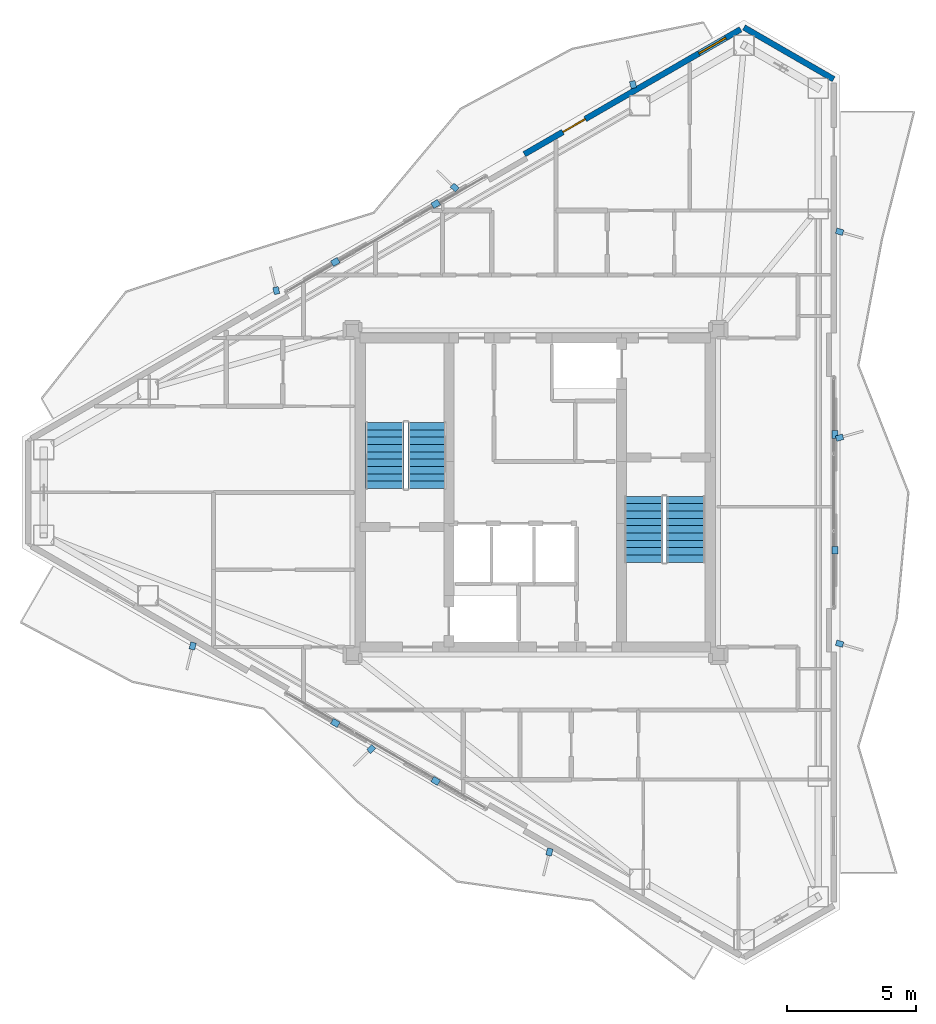
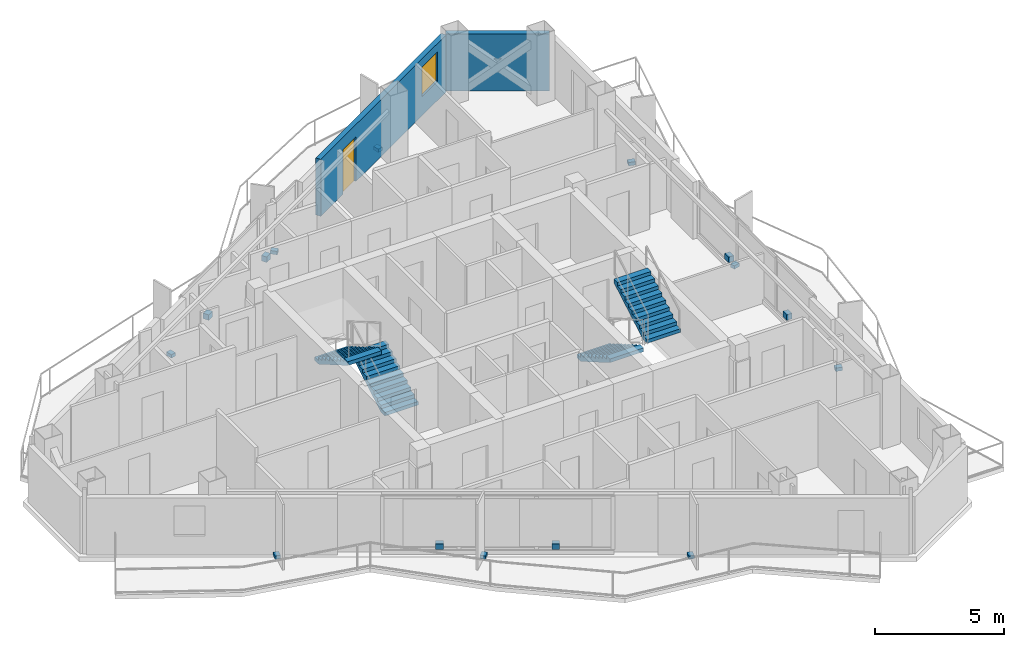
# One storey, part 20 of 22: 15 discrete accessories, 4 stair flights, 2 walls, 1 door, 1 window, 2 openings, 2 elements without a shape of their own.
"""IFC4 building model written with IfcOpenShell, lengths in metres."""

from ifc_helpers import new_model, si_unit, direction, frame, frame_2d, origin, origin_2d, place, context, subcontext, project, spatial, polyline, rectangle, outline, extrude, material, layer, layer_set, type_object, element, fill, aggregate, save


model = new_model("IFC4")

# Units and contexts
model_context = context("Model", 3, precision=1e-05, world=origin(), true_north=direction((0.0, 1.0)))
body_context = subcontext(model_context, "Body", "Model", "MODEL_VIEW")
ifc_project = project(units=[si_unit("LENGTHUNIT", "METRE"), si_unit("AREAUNIT", "SQUARE_METRE"), si_unit("VOLUMEUNIT", "CUBIC_METRE"), si_unit("PLANEANGLEUNIT", "RADIAN"), si_unit("MASSUNIT", "GRAM", prefix="KILO")], contexts=[model_context])

# Site, building, storey
site_placement = place(None, origin())
site = spatial("IfcSite", under=ifc_project, at=site_placement, CompositionType="ELEMENT")
building_placement = place(site_placement, origin())
building = spatial("IfcBuilding", under=site, at=building_placement, Name="Mersakhor Tower and Convention Hall", CompositionType="ELEMENT")
storey_placement = place(building_placement, frame((0.0, 0.0, 198.60009765625)))
storey = spatial("IfcBuildingStorey", under=building, at=storey_placement, Name="L55", CompositionType="ELEMENT", Elevation=198.60009765625)

# Wall
ifc_material_1 = material(Name="Precast concrete C40/50", Category="concrete")
ifc_layer_1 = layer(ifc_material_1, 0.22509765625)
ifc_layer_set_1 = layer_set([ifc_layer_1], Name="Precast concrete C40/50")
wall_type = type_object("IfcWallType", Name="WL-EXT-225", PredefinedType="SOLIDWALL", material=ifc_layer_set_1)
wall_1_placement = place(storey_placement, frame((37.10400390625, 44.81005859375, 0.0), z_axis=(0.0, 0.0, 1.0), x_axis=(0.866023907196, -0.500002592159, 0.0)))
element("IfcWall", 1, at=wall_1_placement, inside=storey, type_object=wall_type, Name="L55 Chamfer Braced Spandrel Wall C1", PredefinedType="SOLIDWALL", context=body_context, shape_type="SweptSolid", body=[
    extrude(rectangle(XDim=4.0234375, YDim=0.22509765625, at=frame_2d((2.01171875, 0.0))), origin(), (0.0, 0.0, 1.0), 2.68994140625),
])

# Wall, openings, door, window
wall_2_placement = place(storey_placement, frame((28.57470703125, 39.885498046875, 0.0), z_axis=(0.0, 0.0, 1.0), x_axis=(0.866016233231, 0.500015883528, 0.0)))
wall_2 = element("IfcWall", 2, at=wall_2_placement, inside=storey, type_object=wall_type, Name="L55 Exterior Facade Wall F1-B3", PredefinedType="SOLIDWALL", context=body_context, shape_type="SweptSolid", body=[
    extrude(rectangle(XDim=9.698974609375, YDim=0.22509765625, at=frame_2d((4.849609375, 0.0))), origin(), (0.0, 0.0, 1.0), 2.68994140625),
])
opening_1_placement = place(wall_2_placement, frame((1.72998046875, 0.0, 0.0)))
opening_1 = element("IfcOpeningElement", 3, at=opening_1_placement, cuts=wall_2, Name="Opening BD-01", PredefinedType="OPENING", context=body_context, shape_type="SweptSolid", body=[
    extrude(rectangle(XDim=1.0, YDim=2.10009765625, at=frame_2d((0.5, 1.050048828125))), frame((0.0, 0.12255859375, 0.0), z_axis=(0.0, -1.0, 0.0), x_axis=(1.0, 0.0, 0.0)), (0.0, 0.0, 1.0), 0.2451171875),
])
opening_2_placement = place(wall_2_placement, frame((7.8359375, 0.0, 0.89990234375)))
opening_2 = element("IfcOpeningElement", 4, at=opening_2_placement, cuts=wall_2, Name="Opening W-01", PredefinedType="OPENING", context=body_context, shape_type="SweptSolid", body=[
    extrude(rectangle(XDim=1.199951171875, YDim=1.39990234375, at=frame_2d((0.60009765625, 0.699951171875))), frame((0.0, 0.12255859375, 0.0), z_axis=(0.0, -1.0, 0.0), x_axis=(1.0, 0.0, 0.0)), (0.0, 0.0, 1.0), 0.2451171875),
])
ifc_material_2 = material(Name="Thermally broken dark aluminium and safety glass", Category="aluminium")
door_type = type_object("IfcDoorType", Name="DR-BAL-100x210", OperationType="NOTDEFINED", PredefinedType="DOOR", material=ifc_material_2)
door_placement = place(opening_1_placement, origin())
door = element("IfcDoor", 5, at=door_placement, inside=storey, type_object=door_type, Name="L55 Balcony Terrace Door F1-B3", OperationType="SINGLE_SWING_LEFT", OverallHeight=2.10009765625, OverallWidth=1.0, PredefinedType="DOOR", context=body_context, shape_type="SweptSolid", body=[
    extrude(rectangle(XDim=1.0, YDim=2.10009765625, at=frame_2d((0.5, 1.050048828125))), frame((0.0, 0.02490234375, 0.0), z_axis=(0.0, -1.0, 0.0), x_axis=(1.0, 0.0, 0.0)), (0.0, 0.0, 1.0), 0.050048828125),
])
fill(opening_1, door)
ifc_material_3 = material(Name="Dark solar low-E glazed aluminium window", Category="aluminium")
window_type = type_object("IfcWindowType", Name="WN-RES-120x150", PartitioningType="SINGLE_PANEL", PredefinedType="WINDOW", material=ifc_material_3)
window_placement = place(opening_2_placement, origin())
window = element("IfcWindow", 6, at=window_placement, inside=storey, type_object=window_type, Name="L55 Bedroom Facade Window F1-B3-1", OverallHeight=1.39990234375, OverallWidth=1.199951171875, PartitioningType="SINGLE_PANEL", PredefinedType="WINDOW", context=body_context, shape_type="SweptSolid", body=[
    extrude(rectangle(XDim=1.199951171875, YDim=1.39990234375, at=frame_2d((0.60009765625, 0.699951171875))), frame((0.0, 0.030029296875, 0.0), z_axis=(0.0, -1.0, 0.0), x_axis=(1.0, 0.0, 0.0)), (0.0, 0.0, 1.0), 0.06005859375),
])
fill(opening_2, window)

# Stair, stair flights
ifc_material_4 = material(Name="Concrete C45/55", Category="concrete")
stair_type = type_object("IfcStairType", Name="ST-TWR-20R", PredefinedType="HALF_TURN_STAIR", material=ifc_material_4)
stair_1_placement = place(storey_placement, origin())
stair_1 = element("IfcStair", 7, at=stair_1_placement, inside=storey, type_object=stair_type, Name="L55 Tower Protected Exit Stair ST-1", PredefinedType="HALF_TURN_STAIR")
ifc_material_5 = material(Name="Concrete C45/55", Category="concrete")
stair_flight_type = type_object("IfcStairFlightType", Name="SFL-TWR-20R", PredefinedType="STRAIGHT", material=ifc_material_5)
stair_flight_1_placement = place(storey_placement, frame((24.800048828125, 26.89990234375, 0.0), z_axis=(0.0, 0.0, 1.0), x_axis=(0.0, 1.0, 0.0)))
stair_flight_1 = element("IfcStairFlight", 8, at=stair_flight_1_placement, type_object=stair_flight_type, Name="ST-1 flight 1", NumberOfRisers=10, NumberOfTreads=9, PredefinedType="STRAIGHT", RiserHeight=0.165, TreadLength=0.285, context=body_context, shape_type="SweptSolid", body=[
    extrude(outline(polyline([(0.0, 0.0), (0.0, 0.1650390625), (0.284912109375, 0.1650390625), (0.284912109375, 0.330078125), (0.570068359375, 0.330078125), (0.570068359375, 0.4951171875), (0.85498046875, 0.4951171875), (0.85498046875, 0.659912109375), (1.139892578125, 0.659912109375), (1.139892578125, 0.824951171875), (1.425048828125, 0.824951171875), (1.425048828125, 0.989990234375), (1.7099609375, 0.989990234375), (1.7099609375, 1.155029296875), (1.9951171875, 1.155029296875), (1.9951171875, 1.320068359375), (2.280029296875, 1.320068359375), (2.280029296875, 1.485107421875), (2.56494140625, 1.485107421875), (2.56494140625, 1.64990234375), (2.56494140625, 1.311767578125), (0.299072265625, 0.0), (0.0, 0.0)])), frame((0.0, 0.75, 0.0), z_axis=(0.0, -1.0, 0.0), x_axis=(1.0, 0.0, 0.0)), (0.0, 0.0, 1.0), 1.5),
])
stair_flight_2_placement = place(storey_placement, frame((23.14990234375, 29.465087890625, 1.64990234375), z_axis=(0.0, 0.0, 1.0), x_axis=(0.0, -1.0, 0.0)))
stair_flight_2 = element("IfcStairFlight", 9, at=stair_flight_2_placement, type_object=stair_flight_type, Name="ST-1 flight 2", NumberOfRisers=10, NumberOfTreads=9, PredefinedType="STRAIGHT", RiserHeight=0.165, TreadLength=0.285, context=body_context, shape_type="SweptSolid", body=[
    extrude(outline(polyline([(0.0, 0.0), (0.0, 0.1650390625), (0.284912109375, 0.1650390625), (0.284912109375, 0.330078125), (0.570068359375, 0.330078125), (0.570068359375, 0.4951171875), (0.85498046875, 0.4951171875), (0.85498046875, 0.659912109375), (1.139892578125, 0.659912109375), (1.139892578125, 0.824951171875), (1.425048828125, 0.824951171875), (1.425048828125, 0.989990234375), (1.7099609375, 0.989990234375), (1.7099609375, 1.155029296875), (1.9951171875, 1.155029296875), (1.9951171875, 1.320068359375), (2.280029296875, 1.320068359375), (2.280029296875, 1.485107421875), (2.56494140625, 1.485107421875), (2.56494140625, 1.64990234375), (2.56494140625, 1.311767578125), (0.299072265625, 0.0), (0.0, 0.0)])), frame((0.0, 0.75, 0.0), z_axis=(0.0, -1.0, 0.0), x_axis=(1.0, 0.0, 0.0)), (0.0, 0.0, 1.0), 1.5),
])
aggregate(stair_1, [stair_flight_1, stair_flight_2])

stair_2_placement = place(storey_placement, origin())
stair_2 = element("IfcStair", 10, at=stair_2_placement, inside=storey, type_object=stair_type, Name="L55 Tower Protected Exit Stair ST-2", PredefinedType="HALF_TURN_STAIR")
stair_flight_3_placement = place(storey_placement, frame((33.199951171875, 26.60009765625, 0.0), z_axis=(0.0, 0.0, 1.0), x_axis=(0.0, -1.0, 0.0)))
stair_flight_3 = element("IfcStairFlight", 11, at=stair_flight_3_placement, type_object=stair_flight_type, Name="ST-2 flight 1", NumberOfRisers=10, NumberOfTreads=9, PredefinedType="STRAIGHT", RiserHeight=0.165, TreadLength=0.285, context=body_context, shape_type="SweptSolid", body=[
    extrude(outline(polyline([(0.0, 0.0), (0.0, 0.1650390625), (0.284912109375, 0.1650390625), (0.284912109375, 0.330078125), (0.570068359375, 0.330078125), (0.570068359375, 0.4951171875), (0.85498046875, 0.4951171875), (0.85498046875, 0.659912109375), (1.139892578125, 0.659912109375), (1.139892578125, 0.824951171875), (1.425048828125, 0.824951171875), (1.425048828125, 0.989990234375), (1.7099609375, 0.989990234375), (1.7099609375, 1.155029296875), (1.9951171875, 1.155029296875), (1.9951171875, 1.320068359375), (2.280029296875, 1.320068359375), (2.280029296875, 1.485107421875), (2.56494140625, 1.485107421875), (2.56494140625, 1.64990234375), (2.56494140625, 1.311767578125), (0.299072265625, 0.0), (0.0, 0.0)])), frame((0.0, 0.75, 0.0), z_axis=(0.0, -1.0, 0.0), x_axis=(1.0, 0.0, 0.0)), (0.0, 0.0, 1.0), 1.5),
])
stair_flight_4_placement = place(storey_placement, frame((34.85009765625, 24.034912109375, 1.64990234375), z_axis=(0.0, 0.0, 1.0), x_axis=(0.0, 1.0, 0.0)))
stair_flight_4 = element("IfcStairFlight", 12, at=stair_flight_4_placement, type_object=stair_flight_type, Name="ST-2 flight 2", NumberOfRisers=10, NumberOfTreads=9, PredefinedType="STRAIGHT", RiserHeight=0.165, TreadLength=0.285, context=body_context, shape_type="SweptSolid", body=[
    extrude(outline(polyline([(0.0, 0.0), (0.0, 0.1650390625), (0.284912109375, 0.1650390625), (0.284912109375, 0.330078125), (0.570068359375, 0.330078125), (0.570068359375, 0.4951171875), (0.85498046875, 0.4951171875), (0.85498046875, 0.659912109375), (1.139892578125, 0.659912109375), (1.139892578125, 0.824951171875), (1.425048828125, 0.824951171875), (1.425048828125, 0.989990234375), (1.7099609375, 0.989990234375), (1.7099609375, 1.155029296875), (1.9951171875, 1.155029296875), (1.9951171875, 1.320068359375), (2.280029296875, 1.320068359375), (2.280029296875, 1.485107421875), (2.56494140625, 1.485107421875), (2.56494140625, 1.64990234375), (2.56494140625, 1.311767578125), (0.299072265625, 0.0), (0.0, 0.0)])), frame((0.0, 0.75, 0.0), z_axis=(0.0, -1.0, 0.0), x_axis=(1.0, 0.0, 0.0)), (0.0, 0.0, 1.0), 1.5),
])
aggregate(stair_2, [stair_flight_3, stair_flight_4])

# Discrete accessories
ifc_material_6 = material(Name="Galvanised steel bracket", Category="steel")
ifc_layer_2 = layer(ifc_material_6, 0.02001953125)
ifc_layer_set_2 = layer_set([ifc_layer_2], Name="Galvanised steel bracket")
discrete_accessory_type = type_object("IfcDiscreteAccessoryType", Name="ACC-BRK-STL", PredefinedType="BRACKET", material=ifc_layer_set_2)
for number, where, z_axis, x_axis, name in (
    (13, (21.232421875, 35.704345703125, 0.2900390625), (0.0, 0.0, 1.0), (0.866025403784, 0.5, 0.0), "L55 Solar Screen Outrigger Bracket BRK-1-1"),
    (14, (25.129150390625, 37.9541015625, 0.2900390625), (0.0, 0.0, 1.0), (0.866025403784, 0.5, 0.0), "L55 Solar Screen Outrigger Bracket BRK-1-2"),
):
    element("IfcDiscreteAccessory", number, at=place(storey_placement, frame(where, z_axis=z_axis, x_axis=x_axis)), inside=storey, type_object=discrete_accessory_type, Name=name, PredefinedType="BRACKET", context=body_context, shape_type="SweptSolid", body=[
        extrude(rectangle(XDim=0.300048828125, YDim=0.239990234375, at=origin_2d()), origin(), (0.0, 0.0, 1.0), 0.260009765625),
    ])
for number, where, z_axis, x_axis, name in (
    (15, (18.940185546875, 34.588623046875, -0.02001953125), (0.0, 0.0, 1.0), (-0.2419218956, 0.970295726276, 0.0), "L55 Facade Fin Base Cleat Bracket FBRK-1-1"),
    (16, (25.868408203125, 38.588623046875, -0.02001953125), (0.0, 0.0, 1.0), (-0.719339800339, 0.694658370459, 0.0), "L55 Facade Fin Base Cleat Bracket FBRK-1-2"),
    (17, (32.796630859375, 42.588623046875, -0.02001953125), (0.0, 0.0, 1.0), (-0.2419218956, 0.970295726276, 0.0), "L55 Facade Fin Base Cleat Bracket FBRK-1-3"),
):
    element("IfcDiscreteAccessory", number, at=place(storey_placement, frame(where, z_axis=z_axis, x_axis=x_axis)), inside=storey, type_object=discrete_accessory_type, Name=name, PredefinedType="BRACKET", context=body_context, shape_type="SweptSolid", body=[
        extrude(rectangle(XDim=0.280029296875, YDim=0.219970703125, at=origin_2d()), origin(), (0.0, 0.0, 1.0), 0.159912109375),
    ])
for number, where, z_axis, x_axis, name in (
    (18, (40.638427734375, 28.999755859375, 0.2900390625), (0.0, 0.0, 1.0), (0.0, -1.0, 0.0), "L55 Solar Screen Outrigger Bracket BRK-2-1"),
    (19, (40.638427734375, 24.500244140625, 0.2900390625), (0.0, 0.0, 1.0), (0.0, -1.0, 0.0), "L55 Solar Screen Outrigger Bracket BRK-2-2"),
):
    element("IfcDiscreteAccessory", number, at=place(storey_placement, frame(where, z_axis=z_axis, x_axis=x_axis)), inside=storey, type_object=discrete_accessory_type, Name=name, PredefinedType="BRACKET", context=body_context, shape_type="SweptSolid", body=[
        extrude(rectangle(XDim=0.300048828125, YDim=0.239990234375, at=origin_2d()), origin(), (0.0, 0.0, 1.0), 0.260009765625),
    ])
for number, where, z_axis, x_axis, name in (
    (20, (40.818359375, 36.8759765625, -0.02001953125), (0.0, 0.0, 1.0), (0.961261695938, -0.275637355817, 0.0), "L55 Facade Fin Base Cleat Bracket FBRK-2-1"),
    (21, (40.818359375, 28.8759765625, -0.02001953125), (0.0, 0.0, 1.0), (0.961261695938, 0.275637355817, 0.0), "L55 Facade Fin Base Cleat Bracket FBRK-2-2"),
    (22, (40.818359375, 20.8759765625, -0.02001953125), (0.0, 0.0, 1.0), (0.961261695938, -0.275637355817, 0.0), "L55 Facade Fin Base Cleat Bracket FBRK-2-3"),
):
    element("IfcDiscreteAccessory", number, at=place(storey_placement, frame(where, z_axis=z_axis, x_axis=x_axis)), inside=storey, type_object=discrete_accessory_type, Name=name, PredefinedType="BRACKET", context=body_context, shape_type="SweptSolid", body=[
        extrude(rectangle(XDim=0.280029296875, YDim=0.219970703125, at=origin_2d()), origin(), (0.0, 0.0, 1.0), 0.159912109375),
    ])
for number, where, z_axis, x_axis, name in (
    (23, (25.129150390625, 15.5458984375, 0.2900390625), (0.0, 0.0, 1.0), (-0.866025403784, 0.5, 0.0), "L55 Solar Screen Outrigger Bracket BRK-3-1"),
    (24, (21.232421875, 17.795654296875, 0.2900390625), (0.0, 0.0, 1.0), (-0.866025403784, 0.5, 0.0), "L55 Solar Screen Outrigger Bracket BRK-3-2"),
):
    element("IfcDiscreteAccessory", number, at=place(storey_placement, frame(where, z_axis=z_axis, x_axis=x_axis)), inside=storey, type_object=discrete_accessory_type, Name=name, PredefinedType="BRACKET", context=body_context, shape_type="SweptSolid", body=[
        extrude(rectangle(XDim=0.300048828125, YDim=0.239990234375, at=origin_2d()), origin(), (0.0, 0.0, 1.0), 0.260009765625),
    ])
for number, where, z_axis, x_axis, name in (
    (25, (29.55078125, 12.785400390625, -0.02001953125), (0.0, 0.0, 1.0), (-0.2419218956, -0.970295726276, 0.0), "L55 Facade Fin Base Cleat Bracket FBRK-3-1"),
    (26, (22.62255859375, 16.785400390625, -0.02001953125), (0.0, 0.0, 1.0), (-0.719339800339, -0.694658370459, 0.0), "L55 Facade Fin Base Cleat Bracket FBRK-3-2"),
    (27, (15.6943359375, 20.785400390625, -0.02001953125), (0.0, 0.0, 1.0), (-0.2419218956, -0.970295726276, 0.0), "L55 Facade Fin Base Cleat Bracket FBRK-3-3"),
):
    element("IfcDiscreteAccessory", number, at=place(storey_placement, frame(where, z_axis=z_axis, x_axis=x_axis)), inside=storey, type_object=discrete_accessory_type, Name=name, PredefinedType="BRACKET", context=body_context, shape_type="SweptSolid", body=[
        extrude(rectangle(XDim=0.280029296875, YDim=0.219970703125, at=origin_2d()), origin(), (0.0, 0.0, 1.0), 0.159912109375),
    ])

save(model, "model.ifc")
